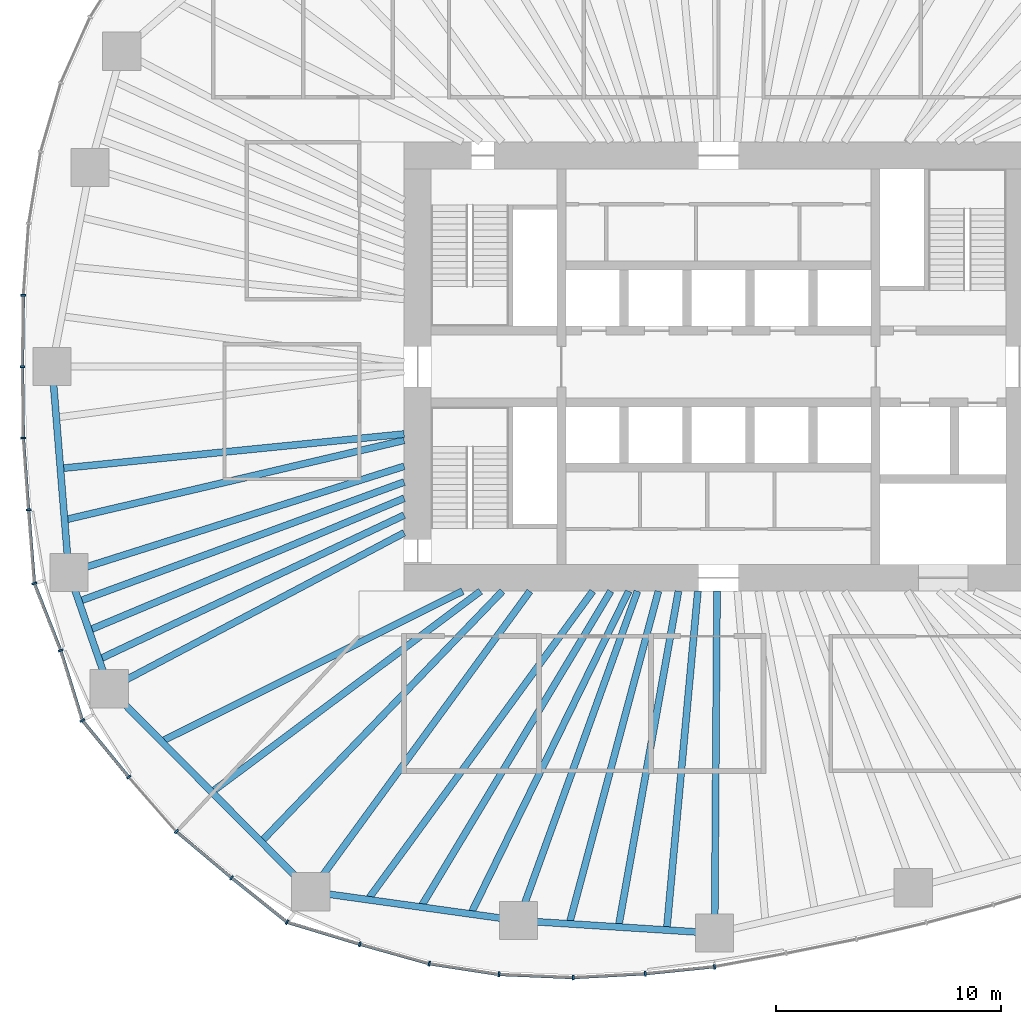
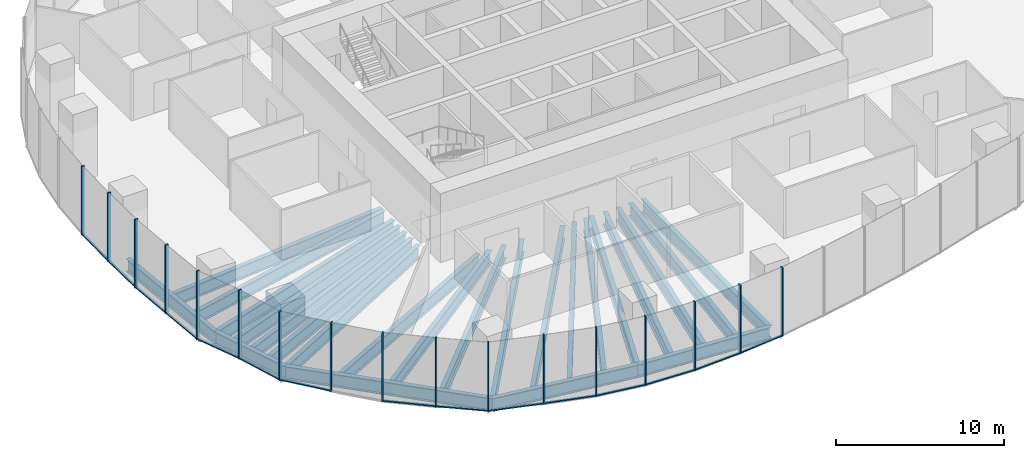
# One storey, part 2 of 19: 32 members, 24 beams, 7 elements without a shape of their own.
"""IFC4 building model written with IfcOpenShell, lengths in metres."""

from ifc_helpers import new_model, si_unit, direction, frame, origin, origin_2d, place, context, subcontext, project, spatial, rectangle, i_section, extrude, material, material_profile, profile_set, type_object, element, aggregate, save


model = new_model("IFC4")

# Units and contexts
model_context = context("Model", 3, precision=1e-05, world=origin(), true_north=direction((0.0, 1.0)))
body_context = subcontext(model_context, "Body", "Model", "MODEL_VIEW")
ifc_project = project(units=[si_unit("LENGTHUNIT", "METRE"), si_unit("AREAUNIT", "SQUARE_METRE"), si_unit("VOLUMEUNIT", "CUBIC_METRE"), si_unit("PLANEANGLEUNIT", "RADIAN"), si_unit("MASSUNIT", "GRAM", prefix="KILO")], contexts=[model_context])

# Site, building, storey
site_placement = place(None, origin())
site = spatial("IfcSite", under=ifc_project, at=site_placement, CompositionType="ELEMENT")
building_placement = place(site_placement, origin())
building = spatial("IfcBuilding", under=site, at=building_placement, Name="Ghaith Harvest Tower", CompositionType="ELEMENT")
storey_placement = place(building_placement, frame((0.0, 0.0, 75.0)))
storey = spatial("IfcBuildingStorey", under=building, at=storey_placement, Name="L15", CompositionType="ELEMENT", Elevation=75.0)

# Curtain wall, member
ifc_material_1 = material(Name="Black anodised aluminium and fritted glass", Category="aluminium")
curtain_wall_type = type_object("IfcCurtainWallType", Name="CW-F CURTAIN WALL", PredefinedType="NOTDEFINED", material=ifc_material_1)
curtain_wall_1_placement = place(storey_placement, origin())
curtain_wall_1 = element("IfcCurtainWall", 1, at=curtain_wall_1_placement, inside=storey, type_object=curtain_wall_type, Name="Curtain wall CW-F bay 10 L15", PredefinedType="NOTDEFINED")
ifc_material_2 = material(Name="Aluminium, black anodised", Category="aluminium")
ifc_material_profile_1 = material_profile(ifc_material_2, rectangle(XDim=0.080078125, YDim=0.219970703125, at=origin_2d()), Name="CW-F MULLION 80x220")
ifc_profile_set_1 = profile_set([ifc_material_profile_1], Name="Aluminium, black anodised")
member_type_1 = type_object("IfcMemberType", Name="CW-F MULLION 80x220", PredefinedType="MULLION", material=ifc_profile_set_1)
member_1_placement = place(storey_placement, frame((-30.95654296875, 3.177978515625, 0.0), z_axis=(0.0, 0.0, 1.0), x_axis=(-0.042427007767, -0.999099569118, 0.0)))
member_1 = element("IfcMember", 2, at=member_1_placement, type_object=member_type_1, Name="CW-F mullion 3 bay 10 L15", PredefinedType="MULLION", context=body_context, shape_type="SweptSolid", body=[
    extrude(rectangle(XDim=0.080078125, YDim=0.219970703125, at=origin_2d()), origin(), (0.0, 0.0, 1.0), 5.0),
])

# Curtain wall, members
curtain_wall_2_placement = place(storey_placement, origin())
curtain_wall_2 = element("IfcCurtainWall", 3, at=curtain_wall_2_placement, inside=storey, type_object=curtain_wall_type, Name="Curtain wall CW-F bay 11 L15", PredefinedType="NOTDEFINED")
member_2_placement = place(storey_placement, frame((-30.9951171875, 0.0, 0.0), z_axis=(0.0, 0.0, 1.0), x_axis=(1.4e-10, -1.0, 0.0)))
member_2 = element("IfcMember", 4, at=member_2_placement, type_object=member_type_1, Name="CW-F mullion 1 bay 11 L15", PredefinedType="MULLION", context=body_context, shape_type="SweptSolid", body=[
    extrude(rectangle(XDim=0.080078125, YDim=0.219970703125, at=origin_2d()), origin(), (0.0, 0.0, 1.0), 5.0),
])
member_3_placement = place(storey_placement, frame((-30.95654296875, -3.177978515625, 0.0), z_axis=(0.0, 0.0, 1.0), x_axis=(0.042427007872, -0.999099569114, 0.0)))
member_3 = element("IfcMember", 5, at=member_3_placement, type_object=member_type_1, Name="CW-F mullion 2 bay 11 L15", PredefinedType="MULLION", context=body_context, shape_type="SweptSolid", body=[
    extrude(rectangle(XDim=0.080078125, YDim=0.219970703125, at=origin_2d()), origin(), (0.0, 0.0, 1.0), 5.0),
])
member_4_placement = place(storey_placement, frame((-30.724365234375, -6.37548828125, 0.0), z_axis=(0.0, 0.0, 1.0), x_axis=(0.07568573288, -0.997131721408, 0.0)))
member_4 = element("IfcMember", 6, at=member_4_placement, type_object=member_type_1, Name="CW-F mullion 3 bay 11 L15", PredefinedType="MULLION", context=body_context, shape_type="SweptSolid", body=[
    extrude(rectangle(XDim=0.080078125, YDim=0.219970703125, at=origin_2d()), origin(), (0.0, 0.0, 1.0), 5.0),
])

curtain_wall_3_placement = place(storey_placement, origin())
curtain_wall_3 = element("IfcCurtainWall", 7, at=curtain_wall_3_placement, inside=storey, type_object=curtain_wall_type, Name="Curtain wall CW-F bay 12 L15", PredefinedType="NOTDEFINED")
member_5_placement = place(storey_placement, frame((-30.46484375, -9.65478515625, 0.0), z_axis=(0.0, 0.0, 1.0), x_axis=(0.222967363441, -0.974825910017, 0.0)))
member_5 = element("IfcMember", 8, at=member_5_placement, type_object=member_type_1, Name="CW-F mullion 1 bay 12 L15", PredefinedType="MULLION", context=body_context, shape_type="SweptSolid", body=[
    extrude(rectangle(XDim=0.080078125, YDim=0.219970703125, at=origin_2d()), origin(), (0.0, 0.0, 1.0), 5.0),
])
member_6_placement = place(storey_placement, frame((-29.29248046875, -12.63525390625, 0.0), z_axis=(0.0, 0.0, 1.0), x_axis=(0.330700518925, -0.943735750506, 0.0)))
member_6 = element("IfcMember", 9, at=member_6_placement, type_object=member_type_1, Name="CW-F mullion 2 bay 12 L15", PredefinedType="MULLION", context=body_context, shape_type="SweptSolid", body=[
    extrude(rectangle(XDim=0.080078125, YDim=0.219970703125, at=origin_2d()), origin(), (0.0, 0.0, 1.0), 5.0),
])
member_7_placement = place(storey_placement, frame((-28.3271484375, -15.7548828125, 0.0), z_axis=(0.0, 0.0, 1.0), x_axis=(0.473265082527, -0.880920065421, 0.0)))
member_7 = element("IfcMember", 10, at=member_7_placement, type_object=member_type_1, Name="CW-F mullion 3 bay 12 L15", PredefinedType="MULLION", context=body_context, shape_type="SweptSolid", body=[
    extrude(rectangle(XDim=0.080078125, YDim=0.219970703125, at=origin_2d()), origin(), (0.0, 0.0, 1.0), 5.0),
])

curtain_wall_4_placement = place(storey_placement, origin())
curtain_wall_4 = element("IfcCurtainWall", 11, at=curtain_wall_4_placement, inside=storey, type_object=curtain_wall_type, Name="Curtain wall CW-F bay 13 L15", PredefinedType="NOTDEFINED")
member_8_placement = place(storey_placement, frame((-26.26318359375, -18.274169921875, 0.0), z_axis=(0.0, 0.0, 1.0), x_axis=(0.646523538748, -0.762894038412, 0.0)))
member_8 = element("IfcMember", 12, at=member_8_placement, type_object=member_type_1, Name="CW-F mullion 1 bay 13 L15", PredefinedType="MULLION", context=body_context, shape_type="SweptSolid", body=[
    extrude(rectangle(XDim=0.080078125, YDim=0.219970703125, at=origin_2d()), origin(), (0.0, 0.0, 1.0), 5.0),
])
member_9_placement = place(storey_placement, frame((-24.139404296875, -20.696533203125, 0.0), z_axis=(0.0, 0.0, 1.0), x_axis=(0.714663248554, -0.699468684907, 0.0)))
member_9 = element("IfcMember", 13, at=member_9_placement, type_object=member_type_1, Name="CW-F mullion 2 bay 13 L15", PredefinedType="MULLION", context=body_context, shape_type="SweptSolid", body=[
    extrude(rectangle(XDim=0.080078125, YDim=0.219970703125, at=origin_2d()), origin(), (0.0, 0.0, 1.0), 5.0),
])
member_10_placement = place(storey_placement, frame((-21.681640625, -22.758056640625, 0.0), z_axis=(0.0, 0.0, 1.0), x_axis=(0.773138721505, -0.634236956751, 0.0)))
member_10 = element("IfcMember", 14, at=member_10_placement, type_object=member_type_1, Name="CW-F mullion 3 bay 13 L15", PredefinedType="MULLION", context=body_context, shape_type="SweptSolid", body=[
    extrude(rectangle(XDim=0.080078125, YDim=0.219970703125, at=origin_2d()), origin(), (0.0, 0.0, 1.0), 5.0),
])

curtain_wall_5_placement = place(storey_placement, origin())
curtain_wall_5 = element("IfcCurtainWall", 15, at=curtain_wall_5_placement, inside=storey, type_object=curtain_wall_type, Name="Curtain wall CW-F bay 14 L15", PredefinedType="NOTDEFINED")
member_11_placement = place(storey_placement, frame((-19.212646484375, -24.73828125, 0.0), z_axis=(0.0, 0.0, 1.0), x_axis=(0.887912253774, -0.460012858079, 0.0)))
member_11 = element("IfcMember", 16, at=member_11_placement, type_object=member_type_1, Name="CW-F mullion 1 bay 14 L15", PredefinedType="MULLION", context=body_context, shape_type="SweptSolid", body=[
    extrude(rectangle(XDim=0.080078125, YDim=0.219970703125, at=origin_2d()), origin(), (0.0, 0.0, 1.0), 5.0),
])
member_12_placement = place(storey_placement, frame((-15.97119140625, -25.716552734375, 0.0), z_axis=(0.0, 0.0, 1.0), x_axis=(0.960008876539, -0.279969564356, 0.0)))
member_12 = element("IfcMember", 17, at=member_12_placement, type_object=member_type_1, Name="CW-F mullion 2 bay 14 L15", PredefinedType="MULLION", context=body_context, shape_type="SweptSolid", body=[
    extrude(rectangle(XDim=0.080078125, YDim=0.219970703125, at=origin_2d()), origin(), (0.0, 0.0, 1.0), 5.0),
])
member_13_placement = place(storey_placement, frame((-12.880615234375, -26.5849609375, 0.0), z_axis=(0.0, 0.0, 1.0), x_axis=(0.977207016024, -0.212288595628, 0.0)))
member_13 = element("IfcMember", 18, at=member_13_placement, type_object=member_type_1, Name="CW-F mullion 3 bay 14 L15", PredefinedType="MULLION", context=body_context, shape_type="SweptSolid", body=[
    extrude(rectangle(XDim=0.080078125, YDim=0.219970703125, at=origin_2d()), origin(), (0.0, 0.0, 1.0), 5.0),
])

curtain_wall_6_placement = place(storey_placement, origin())
curtain_wall_6 = element("IfcCurtainWall", 19, at=curtain_wall_6_placement, inside=storey, type_object=curtain_wall_type, Name="Curtain wall CW-F bay 15 L15", PredefinedType="NOTDEFINED")
member_14_placement = place(storey_placement, frame((-9.7744140625, -27.062744140625, 0.0), z_axis=(0.0, 0.0, 1.0), x_axis=(0.995408459417, -0.095718331168, 0.0)))
member_14 = element("IfcMember", 20, at=member_14_placement, type_object=member_type_1, Name="CW-F mullion 1 bay 15 L15", PredefinedType="MULLION", context=body_context, shape_type="SweptSolid", body=[
    extrude(rectangle(XDim=0.080078125, YDim=0.219970703125, at=origin_2d()), origin(), (0.0, 0.0, 1.0), 5.0),
])
member_15_placement = place(storey_placement, frame((-6.465087890625, -27.20166015625, 0.0), z_axis=(0.0, 0.0, 1.0), x_axis=(0.999987206373, 0.005058368251, 0.0)))
member_15 = element("IfcMember", 21, at=member_15_placement, type_object=member_type_1, Name="CW-F mullion 2 bay 15 L15", PredefinedType="MULLION", context=body_context, shape_type="SweptSolid", body=[
    extrude(rectangle(XDim=0.080078125, YDim=0.219970703125, at=origin_2d()), origin(), (0.0, 0.0, 1.0), 5.0),
])
member_16_placement = place(storey_placement, frame((-3.261962890625, -27.02978515625, 0.0), z_axis=(0.0, 0.0, 1.0), x_axis=(0.997037536276, 0.07691652135, 0.0)))
member_16 = element("IfcMember", 22, at=member_16_placement, type_object=member_type_1, Name="CW-F mullion 3 bay 15 L15", PredefinedType="MULLION", context=body_context, shape_type="SweptSolid", body=[
    extrude(rectangle(XDim=0.080078125, YDim=0.219970703125, at=origin_2d()), origin(), (0.0, 0.0, 1.0), 5.0),
])

# Curtain wall, member
curtain_wall_7_placement = place(storey_placement, origin())
curtain_wall_7 = element("IfcCurtainWall", 23, at=curtain_wall_7_placement, inside=storey, type_object=curtain_wall_type, Name="Curtain wall CW-F bay 16 L15", PredefinedType="NOTDEFINED")
member_17_placement = place(storey_placement, frame((-0.182861328125, -26.717041015625, 0.0), z_axis=(0.0, 0.0, 1.0), x_axis=(0.98971187144, 0.143074845907, 0.0)))
member_17 = element("IfcMember", 24, at=member_17_placement, type_object=member_type_1, Name="CW-F mullion 1 bay 16 L15", PredefinedType="MULLION", context=body_context, shape_type="SweptSolid", body=[
    extrude(rectangle(XDim=0.080078125, YDim=0.219970703125, at=origin_2d()), origin(), (0.0, 0.0, 1.0), 5.0),
])
aggregate(curtain_wall_7, [member_17])

# Member
ifc_material_3 = material(Name="Aluminium, black anodised", Category="aluminium")
ifc_material_profile_2 = material_profile(ifc_material_3, rectangle(XDim=0.139892578125, YDim=0.080078125, at=origin_2d()), Name="CW-F TRANSOM 140x80")
ifc_profile_set_2 = profile_set([ifc_material_profile_2], Name="Aluminium, black anodised")
member_type_2 = type_object("IfcMemberType", Name="CW-F TRANSOM 140x80", PredefinedType="USERDEFINED", material=ifc_profile_set_2)
member_18_placement = place(storey_placement, frame((-30.95703125, 3.137939453125, 0.0400390625), z_axis=(-0.012135602457, -0.999926360865, 0.0), x_axis=(0.999926360865, -0.012135602457, 0.0)))
member_18 = element("IfcMember", 25, at=member_18_placement, type_object=member_type_2, Name="CW-F transom 3 bay 10 L15", ObjectType="TRANSOM", PredefinedType="USERDEFINED", context=body_context, shape_type="SweptSolid", body=[
    extrude(rectangle(XDim=0.139892578125, YDim=0.080078125, at=origin_2d()), origin(), (0.0, 0.0, 1.0), 3.09814453125),
])

aggregate(curtain_wall_1, [member_1, member_18])

member_19_placement = place(storey_placement, frame((-30.99462890625, -0.0400390625, 0.0400390625), z_axis=(0.012135602457, -0.999926360865, 0.0), x_axis=(0.999926360865, 0.012135602457, 0.0)))
member_19 = element("IfcMember", 26, at=member_19_placement, type_object=member_type_2, Name="CW-F transom 1 bay 11 L15", ObjectType="TRANSOM", PredefinedType="USERDEFINED", context=body_context, shape_type="SweptSolid", body=[
    extrude(rectangle(XDim=0.139892578125, YDim=0.080078125, at=origin_2d()), origin(), (0.0, 0.0, 1.0), 3.09814453125),
])

member_20_placement = place(storey_placement, frame((-30.95361328125, -3.2177734375, 0.0400390625), z_axis=(0.072473547161, -0.997370334912, 0.0), x_axis=(0.997370334912, 0.072473547161, 0.0)))
member_20 = element("IfcMember", 27, at=member_20_placement, type_object=member_type_2, Name="CW-F transom 2 bay 11 L15", ObjectType="TRANSOM", PredefinedType="USERDEFINED", context=body_context, shape_type="SweptSolid", body=[
    extrude(rectangle(XDim=0.139892578125, YDim=0.080078125, at=origin_2d()), origin(), (0.0, 0.0, 1.0), 3.126220703125),
])

member_21_placement = place(storey_placement, frame((-30.72119140625, -6.415283203125, 0.0400390625), z_axis=(0.078877539502, -0.996884313129, 0.0), x_axis=(0.996884313129, 0.078877539502, 0.0)))
member_21 = element("IfcMember", 28, at=member_21_placement, type_object=member_type_2, Name="CW-F transom 3 bay 11 L15", ObjectType="TRANSOM", PredefinedType="USERDEFINED", context=body_context, shape_type="SweptSolid", body=[
    extrude(rectangle(XDim=0.139892578125, YDim=0.080078125, at=origin_2d()), origin(), (0.0, 0.0, 1.0), 3.209716796875),
])

aggregate(curtain_wall_2, [member_2, member_19, member_3, member_20, member_4, member_21])

member_22_placement = place(storey_placement, frame((-30.4501953125, -9.692138671875, 0.0400390625), z_axis=(0.366046617161, -0.93059651518, 0.0), x_axis=(0.93059651518, 0.366046617161, 0.0)))
member_22 = element("IfcMember", 29, at=member_22_placement, type_object=member_type_2, Name="CW-F transom 1 bay 12 L15", ObjectType="TRANSOM", PredefinedType="USERDEFINED", context=body_context, shape_type="SweptSolid", body=[
    extrude(rectangle(XDim=0.139892578125, YDim=0.080078125, at=origin_2d()), origin(), (0.0, 0.0, 1.0), 3.122802734375),
])

member_23_placement = place(storey_placement, frame((-29.28076171875, -12.673583984375, 0.0400390625), z_axis=(0.295598800908, -0.955312173534, 0.0), x_axis=(0.955312173534, 0.295598800908, 0.0)))
member_23 = element("IfcMember", 30, at=member_23_placement, type_object=member_type_2, Name="CW-F transom 2 bay 12 L15", ObjectType="TRANSOM", PredefinedType="USERDEFINED", context=body_context, shape_type="SweptSolid", body=[
    extrude(rectangle(XDim=0.139892578125, YDim=0.080078125, at=origin_2d()), origin(), (0.0, 0.0, 1.0), 3.185546875),
])

member_24_placement = place(storey_placement, frame((-28.302001953125, -15.785888671875, 0.0400390625), z_axis=(0.633790042943, -0.773505126982, 0.0), x_axis=(0.773505126982, 0.633790042943, 0.0)))
member_24 = element("IfcMember", 31, at=member_24_placement, type_object=member_type_2, Name="CW-F transom 3 bay 12 L15", ObjectType="TRANSOM", PredefinedType="USERDEFINED", context=body_context, shape_type="SweptSolid", body=[
    extrude(rectangle(XDim=0.139892578125, YDim=0.080078125, at=origin_2d()), origin(), (0.0, 0.0, 1.0), 3.1767578125),
])

aggregate(curtain_wall_3, [member_5, member_22, member_6, member_23, member_7, member_24])

member_25_placement = place(storey_placement, frame((-24.10888671875, -20.72216796875, 0.0400390625), z_axis=(0.766144434184, -0.642668426149, 0.0), x_axis=(0.642668426149, 0.766144434184, 0.0)))
member_25 = element("IfcMember", 32, at=member_25_placement, type_object=member_type_2, Name="CW-F transom 2 bay 13 L15", ObjectType="TRANSOM", PredefinedType="USERDEFINED", context=body_context, shape_type="SweptSolid", body=[
    extrude(rectangle(XDim=0.139892578125, YDim=0.080078125, at=origin_2d()), origin(), (0.0, 0.0, 1.0), 3.1279296875),
])

member_26_placement = place(storey_placement, frame((-21.650634765625, -22.783203125, 0.0400390625), z_axis=(0.780181223133, -0.625553562112, 0.0), x_axis=(0.625553562112, 0.780181223133, 0.0)))
member_26 = element("IfcMember", 33, at=member_26_placement, type_object=member_type_2, Name="CW-F transom 3 bay 13 L15", ObjectType="TRANSOM", PredefinedType="USERDEFINED", context=body_context, shape_type="SweptSolid", body=[
    extrude(rectangle(XDim=0.139892578125, YDim=0.080078125, at=origin_2d()), origin(), (0.0, 0.0, 1.0), 3.085205078125),
])

aggregate(curtain_wall_4, [member_8, member_9, member_25, member_10, member_26])

member_27_placement = place(storey_placement, frame((-19.17431640625, -24.749755859375, 0.0400390625), z_axis=(0.957335035376, -0.288980328121, 0.0), x_axis=(0.288980328121, 0.957335035376, 0.0)))
member_27 = element("IfcMember", 34, at=member_27_placement, type_object=member_type_2, Name="CW-F transom 1 bay 14 L15", ObjectType="TRANSOM", PredefinedType="USERDEFINED", context=body_context, shape_type="SweptSolid", body=[
    extrude(rectangle(XDim=0.139892578125, YDim=0.080078125, at=origin_2d()), origin(), (0.0, 0.0, 1.0), 3.305908203125),
])

member_28_placement = place(storey_placement, frame((-15.9326171875, -25.727294921875, 0.0400390625), z_axis=(0.962727128991, -0.270474536888, 0.0), x_axis=(0.270474536888, 0.962727128991, 0.0)))
member_28 = element("IfcMember", 35, at=member_28_placement, type_object=member_type_2, Name="CW-F transom 2 bay 14 L15", ObjectType="TRANSOM", PredefinedType="USERDEFINED", context=body_context, shape_type="SweptSolid", body=[
    extrude(rectangle(XDim=0.139892578125, YDim=0.080078125, at=origin_2d()), origin(), (0.0, 0.0, 1.0), 3.13037109375),
])

member_29_placement = place(storey_placement, frame((-12.841064453125, -26.591064453125, 0.0400390625), z_axis=(0.988378147633, -0.152015253451, 0.0), x_axis=(0.152015253451, 0.988378147633, 0.0)))
member_29 = element("IfcMember", 36, at=member_29_placement, type_object=member_type_2, Name="CW-F transom 3 bay 14 L15", ObjectType="TRANSOM", PredefinedType="USERDEFINED", context=body_context, shape_type="SweptSolid", body=[
    extrude(rectangle(XDim=0.139892578125, YDim=0.080078125, at=origin_2d()), origin(), (0.0, 0.0, 1.0), 3.062744140625),
])

aggregate(curtain_wall_5, [member_11, member_27, member_12, member_28, member_13, member_29])

member_30_placement = place(storey_placement, frame((-9.734375, -27.064453125, 0.0400390625), z_axis=(0.999117688764, -0.04199814281, 0.0), x_axis=(0.04199814281, 0.999117688764, 0.0)))
member_30 = element("IfcMember", 37, at=member_30_placement, type_object=member_type_2, Name="CW-F transom 1 bay 15 L15", ObjectType="TRANSOM", PredefinedType="USERDEFINED", context=body_context, shape_type="SweptSolid", body=[
    extrude(rectangle(XDim=0.139892578125, YDim=0.080078125, at=origin_2d()), origin(), (0.0, 0.0, 1.0), 3.232177734375),
])

member_31_placement = place(storey_placement, frame((-6.42529296875, -27.19970703125, 0.0400390625), z_axis=(0.99856142387, 0.053619798202, 0.0), x_axis=(-0.053619798202, 0.99856142387, 0.0)))
member_31 = element("IfcMember", 38, at=member_31_placement, type_object=member_type_2, Name="CW-F transom 2 bay 15 L15", ObjectType="TRANSOM", PredefinedType="USERDEFINED", context=body_context, shape_type="SweptSolid", body=[
    extrude(rectangle(XDim=0.139892578125, YDim=0.080078125, at=origin_2d()), origin(), (0.0, 0.0, 1.0), 3.1279296875),
])

member_32_placement = place(storey_placement, frame((-3.22216796875, -27.02587890625, 0.0400390625), z_axis=(0.994880435036, 0.101058992587, 0.0), x_axis=(-0.101058992587, 0.994880435036, 0.0)))
member_32 = element("IfcMember", 39, at=member_32_placement, type_object=member_type_2, Name="CW-F transom 3 bay 15 L15", ObjectType="TRANSOM", PredefinedType="USERDEFINED", context=body_context, shape_type="SweptSolid", body=[
    extrude(rectangle(XDim=0.139892578125, YDim=0.080078125, at=origin_2d()), origin(), (0.0, 0.0, 1.0), 3.014892578125),
])

aggregate(curtain_wall_6, [member_14, member_30, member_15, member_31, member_16, member_32])

# Beams
ifc_material_4 = material(Name="Steel ASTM A992 Grade 50", Category="steel")
ifc_material_profile_3 = material_profile(ifc_material_4, i_section(OverallWidth=0.306884765625, OverallDepth=0.94189453125, WebThickness=0.022216796875, FlangeThickness=0.039794921875, at=origin_2d()), Name="W920X345")
ifc_profile_set_3 = profile_set([ifc_material_profile_3], Name="Steel ASTM A992 Grade 50")
beam_type_1 = type_object("IfcBeamType", Name="E920-345 W920X345", PredefinedType="SPANDREL", material=ifc_profile_set_3)
beam_1_placement = place(storey_placement, frame((-29.675048828125, 0.0, -0.6708984375), z_axis=(0.081006863421, -0.996713543642, 0.0), x_axis=(0.996713543642, 0.081006863421, 0.0)))
element("IfcBeam", 40, at=beam_1_placement, inside=storey, type_object=beam_type_1, Name="Edge beam E11 L15", PredefinedType="SPANDREL", context=body_context, shape_type="SweptSolid", body=[
    extrude(i_section(OverallWidth=0.306884765625, OverallDepth=0.94189453125, WebThickness=0.022216796875, FlangeThickness=0.039794921875, at=origin_2d()), origin(), (0.0, 0.0, 1.0), 9.1982421875),
])
beam_2_placement = place(storey_placement, frame((-28.929931640625, -9.16796875, -0.6708984375), z_axis=(0.328278550319, -0.944580961803, 0.0), x_axis=(0.944580961803, 0.328278550319, 0.0)))
element("IfcBeam", 41, at=beam_2_placement, inside=storey, type_object=beam_type_1, Name="Edge beam E12 L15", PredefinedType="SPANDREL", context=body_context, shape_type="SweptSolid", body=[
    extrude(i_section(OverallWidth=0.306884765625, OverallDepth=0.94189453125, WebThickness=0.022216796875, FlangeThickness=0.039794921875, at=origin_2d()), origin(), (0.0, 0.0, 1.0), 5.4765625),
])
beam_3_placement = place(storey_placement, frame((-27.132080078125, -14.341064453125, -0.6708984375), z_axis=(0.704562513714, -0.709641926798, 0.0), x_axis=(0.709641926798, 0.704562513714, 0.0)))
element("IfcBeam", 42, at=beam_3_placement, inside=storey, type_object=beam_type_1, Name="Edge beam E13 L15", PredefinedType="SPANDREL", context=body_context, shape_type="SweptSolid", body=[
    extrude(i_section(OverallWidth=0.306884765625, OverallDepth=0.94189453125, WebThickness=0.022216796875, FlangeThickness=0.039794921875, at=origin_2d()), origin(), (0.0, 0.0, 1.0), 12.737060546875),
])
beam_4_placement = place(storey_placement, frame((-18.157958984375, -23.3798828125, -0.6708984375), z_axis=(0.990441143901, -0.137936001352, 0.0), x_axis=(0.137936001352, 0.990441143901, 0.0)))
element("IfcBeam", 43, at=beam_4_placement, inside=storey, type_object=beam_type_1, Name="Edge beam E14 L15", PredefinedType="SPANDREL", context=body_context, shape_type="SweptSolid", body=[
    extrude(i_section(OverallWidth=0.306884765625, OverallDepth=0.94189453125, WebThickness=0.022216796875, FlangeThickness=0.039794921875, at=origin_2d()), origin(), (0.0, 0.0, 1.0), 9.33837890625),
])
beam_5_placement = place(storey_placement, frame((-8.908935546875, -24.66796875, -0.6708984375), z_axis=(0.99797963184, -0.063534671101, 0.0), x_axis=(0.063534671101, 0.99797963184, 0.0)))
element("IfcBeam", 44, at=beam_5_placement, inside=storey, type_object=beam_type_1, Name="Edge beam E15 L15", PredefinedType="SPANDREL", context=body_context, shape_type="SweptSolid", body=[
    extrude(i_section(OverallWidth=0.306884765625, OverallDepth=0.94189453125, WebThickness=0.022216796875, FlangeThickness=0.039794921875, at=origin_2d()), origin(), (0.0, 0.0, 1.0), 8.75341796875),
])
ifc_material_5 = material(Name="Steel ASTM A992 Grade 50", Category="steel")
ifc_material_profile_4 = material_profile(ifc_material_5, i_section(OverallWidth=0.306884765625, OverallDepth=0.94189453125, WebThickness=0.022216796875, FlangeThickness=0.039794921875, at=origin_2d()), Name="W920X345")
ifc_profile_set_4 = profile_set([ifc_material_profile_4], Name="Steel ASTM A992 Grade 50")
beam_type_2 = type_object("IfcBeamType", Name="G920-345 W920X345", PredefinedType="BEAM", material=ifc_profile_set_4)
beam_6_placement = place(storey_placement, frame((-14.0, -4.43701171875, -0.6708984375), z_axis=(-0.953284407194, -0.302074227636, 0.0), x_axis=(0.302074227636, -0.953284407194, 0.0)))
element("IfcBeam", 45, at=beam_6_placement, inside=storey, type_object=beam_type_2, Name="Radial girder G12 L15", PredefinedType="BEAM", context=body_context, shape_type="SweptSolid", body=[
    extrude(i_section(OverallWidth=0.306884765625, OverallDepth=0.94189453125, WebThickness=0.022216796875, FlangeThickness=0.039794921875, at=origin_2d()), origin(), (0.0, 0.0, 1.0), 15.66162109375),
])
beam_7_placement = place(storey_placement, frame((-14.0, -7.39990234375, -0.6708984375), z_axis=(-0.884097171481, -0.467303104397, 0.0), x_axis=(0.467303104397, -0.884097171481, 0.0)))
element("IfcBeam", 46, at=beam_7_placement, inside=storey, type_object=beam_type_2, Name="Radial girder G13 L15", PredefinedType="BEAM", context=body_context, shape_type="SweptSolid", body=[
    extrude(i_section(OverallWidth=0.306884765625, OverallDepth=0.94189453125, WebThickness=0.022216796875, FlangeThickness=0.039794921875, at=origin_2d()), origin(), (0.0, 0.0, 1.0), 14.853759765625),
])
beam_8_placement = place(storey_placement, frame((-8.39990234375, -10.0, -0.6708984375), z_axis=(-0.589246749374, -0.807953134997, 0.0), x_axis=(0.807953134997, -0.589246749374, 0.0)))
element("IfcBeam", 47, at=beam_8_placement, inside=storey, type_object=beam_type_2, Name="Radial girder G14 L15", PredefinedType="BEAM", context=body_context, shape_type="SweptSolid", body=[
    extrude(i_section(OverallWidth=0.306884765625, OverallDepth=0.94189453125, WebThickness=0.022216796875, FlangeThickness=0.039794921875, at=origin_2d()), origin(), (0.0, 0.0, 1.0), 16.560302734375),
])
beam_9_placement = place(storey_placement, frame((-3.61181640625, -10.0, -0.6708984375), z_axis=(-0.339664467784, -0.940546675782, 0.0), x_axis=(0.940546675782, -0.339664467784, 0.0)))
element("IfcBeam", 48, at=beam_9_placement, inside=storey, type_object=beam_type_2, Name="Radial girder G15 L15", PredefinedType="BEAM", context=body_context, shape_type="SweptSolid", body=[
    extrude(i_section(OverallWidth=0.306884765625, OverallDepth=0.94189453125, WebThickness=0.022216796875, FlangeThickness=0.039794921875, at=origin_2d()), origin(), (0.0, 0.0, 1.0), 15.59521484375),
])
beam_10_placement = place(storey_placement, frame((-0.068359375, -10.0, -0.6708984375), z_axis=(-0.006879467722, -0.999976336182, 0.0), x_axis=(0.999976336182, -0.006879467722, 0.0)))
element("IfcBeam", 49, at=beam_10_placement, inside=storey, type_object=beam_type_2, Name="Radial girder G16 L15", PredefinedType="BEAM", context=body_context, shape_type="SweptSolid", body=[
    extrude(i_section(OverallWidth=0.306884765625, OverallDepth=0.94189453125, WebThickness=0.022216796875, FlangeThickness=0.039794921875, at=origin_2d()), origin(), (0.0, 0.0, 1.0), 15.224365234375),
])
ifc_material_6 = material(Name="Steel ASTM A992 Grade 50", Category="steel")
ifc_material_profile_5 = material_profile(ifc_material_6, i_section(OverallWidth=0.31005859375, OverallDepth=0.927001953125, WebThickness=0.019287109375, FlangeThickness=0.031982421875, at=origin_2d()), Name="W920X289")
ifc_profile_set_5 = profile_set([ifc_material_profile_5], Name="Steel ASTM A992 Grade 50")
beam_type_3 = type_object("IfcBeamType", Name="J920-289 W920X289", PredefinedType="JOIST", material=ifc_profile_set_5)
beam_11_placement = place(storey_placement, frame((-14.0, -3.0, -0.66357421875), z_axis=(-0.995023982133, -0.099635711366, 0.0), x_axis=(0.099635711366, -0.995023982133, 0.0)))
element("IfcBeam", 50, at=beam_11_placement, inside=storey, type_object=beam_type_3, Name="Joist J11.2 L15", PredefinedType="JOIST", context=body_context, shape_type="SweptSolid", body=[
    extrude(i_section(OverallWidth=0.31005859375, OverallDepth=0.927001953125, WebThickness=0.019287109375, FlangeThickness=0.031982421875, at=origin_2d()), origin(), (0.0, 0.0, 1.0), 15.38330078125),
])
beam_12_placement = place(storey_placement, frame((-14.0, -3.280517578125, -0.66357421875), z_axis=(-0.973622531394, -0.228164778969, 0.0), x_axis=(0.228164778969, -0.973622531394, 0.0)))
element("IfcBeam", 51, at=beam_12_placement, inside=storey, type_object=beam_type_3, Name="Joist J11.3 L15", PredefinedType="JOIST", context=body_context, shape_type="SweptSolid", body=[
    extrude(i_section(OverallWidth=0.31005859375, OverallDepth=0.927001953125, WebThickness=0.019287109375, FlangeThickness=0.031982421875, at=origin_2d()), origin(), (0.0, 0.0, 1.0), 15.5302734375),
])
beam_13_placement = place(storey_placement, frame((-14.0, -5.137939453125, -0.66357421875), z_axis=(-0.938772784742, -0.344536875569, 0.0), x_axis=(0.344536875569, -0.938772784742, 0.0)))
element("IfcBeam", 52, at=beam_13_placement, inside=storey, type_object=beam_type_3, Name="Joist J12.1 L15", PredefinedType="JOIST", context=body_context, shape_type="SweptSolid", body=[
    extrude(i_section(OverallWidth=0.31005859375, OverallDepth=0.927001953125, WebThickness=0.019287109375, FlangeThickness=0.031982421875, at=origin_2d()), origin(), (0.0, 0.0, 1.0), 15.427734375),
])
beam_14_placement = place(storey_placement, frame((-14.0, -5.862548828125, -0.66357421875), z_axis=(-0.922389547545, -0.386260951404, 0.0), x_axis=(0.386260951404, -0.922389547545, 0.0)))
element("IfcBeam", 53, at=beam_14_placement, inside=storey, type_object=beam_type_3, Name="Joist J12.2 L15", PredefinedType="JOIST", context=body_context, shape_type="SweptSolid", body=[
    extrude(i_section(OverallWidth=0.31005859375, OverallDepth=0.927001953125, WebThickness=0.019287109375, FlangeThickness=0.031982421875, at=origin_2d()), origin(), (0.0, 0.0, 1.0), 15.216796875),
])
beam_15_placement = place(storey_placement, frame((-14.0, -6.614990234375, -0.66357421875), z_axis=(-0.904152605228, -0.427209628239, 0.0), x_axis=(0.427209628239, -0.904152605228, 0.0)))
element("IfcBeam", 54, at=beam_15_placement, inside=storey, type_object=beam_type_3, Name="Joist J12.3 L15", PredefinedType="JOIST", context=body_context, shape_type="SweptSolid", body=[
    extrude(i_section(OverallWidth=0.31005859375, OverallDepth=0.927001953125, WebThickness=0.019287109375, FlangeThickness=0.031982421875, at=origin_2d()), origin(), (0.0, 0.0, 1.0), 15.0263671875),
])
beam_16_placement = place(storey_placement, frame((-11.39990234375, -10.0, -0.66357421875), z_axis=(-0.894746445211, -0.446574516495, 0.0), x_axis=(0.446574516495, -0.894746445211, 0.0)))
element("IfcBeam", 55, at=beam_16_placement, inside=storey, type_object=beam_type_3, Name="Joist J13.1 L15", PredefinedType="JOIST", context=body_context, shape_type="SweptSolid", body=[
    extrude(i_section(OverallWidth=0.31005859375, OverallDepth=0.927001953125, WebThickness=0.019287109375, FlangeThickness=0.031982421875, at=origin_2d()), origin(), (0.0, 0.0, 1.0), 14.977783203125),
])
beam_17_placement = place(storey_placement, frame((-10.60009765625, -10.0, -0.66357421875), z_axis=(-0.800995319048, -0.598670609653, 0.0), x_axis=(0.598670609653, -0.800995319048, 0.0)))
element("IfcBeam", 56, at=beam_17_placement, inside=storey, type_object=beam_type_3, Name="Joist J13.2 L15", PredefinedType="JOIST", context=body_context, shape_type="SweptSolid", body=[
    extrude(i_section(OverallWidth=0.31005859375, OverallDepth=0.927001953125, WebThickness=0.019287109375, FlangeThickness=0.031982421875, at=origin_2d()), origin(), (0.0, 0.0, 1.0), 14.936279296875),
])
beam_18_placement = place(storey_placement, frame((-1.785888671875, -10.0, -0.66357421875), z_axis=(-0.175792307544, -0.984427277461, 0.0), x_axis=(0.984427277461, -0.175792307544, 0.0)))
element("IfcBeam", 57, at=beam_18_placement, inside=storey, type_object=beam_type_3, Name="Joist J15.2 L15", PredefinedType="JOIST", context=body_context, shape_type="SweptSolid", body=[
    extrude(i_section(OverallWidth=0.31005859375, OverallDepth=0.927001953125, WebThickness=0.019287109375, FlangeThickness=0.031982421875, at=origin_2d()), origin(), (0.0, 0.0, 1.0), 15.18798828125),
])
beam_19_placement = place(storey_placement, frame((-0.92041015625, -10.0, -0.66357421875), z_axis=(-0.091651457116, -0.995791147987, 0.0), x_axis=(0.995791147987, -0.091651457116, 0.0)))
element("IfcBeam", 58, at=beam_19_placement, inside=storey, type_object=beam_type_3, Name="Joist J15.3 L15", PredefinedType="JOIST", context=body_context, shape_type="SweptSolid", body=[
    extrude(i_section(OverallWidth=0.31005859375, OverallDepth=0.927001953125, WebThickness=0.019287109375, FlangeThickness=0.031982421875, at=origin_2d()), origin(), (0.0, 0.0, 1.0), 15.151611328125),
])
ifc_material_7 = material(Name="Steel ASTM A992 Grade 50", Category="steel")
ifc_material_profile_6 = material_profile(ifc_material_7, i_section(OverallWidth=0.306884765625, OverallDepth=0.94189453125, WebThickness=0.022216796875, FlangeThickness=0.039794921875, at=origin_2d()), Name="W920X345")
ifc_profile_set_6 = profile_set([ifc_material_profile_6], Name="Steel ASTM A992 Grade 50")
beam_type_4 = type_object("IfcBeamType", Name="J920-345 W920X345", PredefinedType="JOIST", material=ifc_profile_set_6)
beam_20_placement = place(storey_placement, frame((-9.626708984375, -10.0, -0.6708984375), z_axis=(-0.69353836378, -0.720419695709, 0.0), x_axis=(0.720419695709, -0.69353836378, 0.0)))
element("IfcBeam", 59, at=beam_20_placement, inside=storey, type_object=beam_type_4, Name="Joist J13.3 L15", PredefinedType="JOIST", context=body_context, shape_type="SweptSolid", body=[
    extrude(i_section(OverallWidth=0.306884765625, OverallDepth=0.94189453125, WebThickness=0.022216796875, FlangeThickness=0.039794921875, at=origin_2d()), origin(), (0.0, 0.0, 1.0), 15.485107421875),
])
beam_21_placement = place(storey_placement, frame((-5.60009765625, -10.0, -0.6708984375), z_axis=(-0.589160240072, -0.808016219836, 0.0), x_axis=(0.808016219836, -0.589160240072, 0.0)))
element("IfcBeam", 60, at=beam_21_placement, inside=storey, type_object=beam_type_4, Name="Joist J14.1 L15", PredefinedType="JOIST", context=body_context, shape_type="SweptSolid", body=[
    extrude(i_section(OverallWidth=0.306884765625, OverallDepth=0.94189453125, WebThickness=0.022216796875, FlangeThickness=0.039794921875, at=origin_2d()), origin(), (0.0, 0.0, 1.0), 16.997314453125),
])
beam_22_placement = place(storey_placement, frame((-4.800048828125, -10.0, -0.6708984375), z_axis=(-0.515226384897, -0.85705412449, 0.0), x_axis=(0.85705412449, -0.515226384897, 0.0)))
element("IfcBeam", 61, at=beam_22_placement, inside=storey, type_object=beam_type_4, Name="Joist J14.2 L15", PredefinedType="JOIST", context=body_context, shape_type="SweptSolid", body=[
    extrude(i_section(OverallWidth=0.306884765625, OverallDepth=0.94189453125, WebThickness=0.022216796875, FlangeThickness=0.039794921875, at=origin_2d()), origin(), (0.0, 0.0, 1.0), 16.408447265625),
])
beam_23_placement = place(storey_placement, frame((-4.0, -10.0, -0.6708984375), z_axis=(-0.439463806704, -0.898260297797, 0.0), x_axis=(0.898260297797, -0.439463806704, 0.0)))
element("IfcBeam", 62, at=beam_23_placement, inside=storey, type_object=beam_type_4, Name="Joist J14.3 L15", PredefinedType="JOIST", context=body_context, shape_type="SweptSolid", body=[
    extrude(i_section(OverallWidth=0.306884765625, OverallDepth=0.94189453125, WebThickness=0.022216796875, FlangeThickness=0.039794921875, at=origin_2d()), origin(), (0.0, 0.0, 1.0), 16.000244140625),
])
beam_24_placement = place(storey_placement, frame((-2.677978515625, -10.0, -0.6708984375), z_axis=(-0.258693109612, -0.965959561803, 0.0), x_axis=(0.965959561803, -0.258693109612, 0.0)))
element("IfcBeam", 63, at=beam_24_placement, inside=storey, type_object=beam_type_4, Name="Joist J15.1 L15", PredefinedType="JOIST", context=body_context, shape_type="SweptSolid", body=[
    extrude(i_section(OverallWidth=0.306884765625, OverallDepth=0.94189453125, WebThickness=0.022216796875, FlangeThickness=0.039794921875, at=origin_2d()), origin(), (0.0, 0.0, 1.0), 15.333984375),
])

save(model, "model.ifc")
